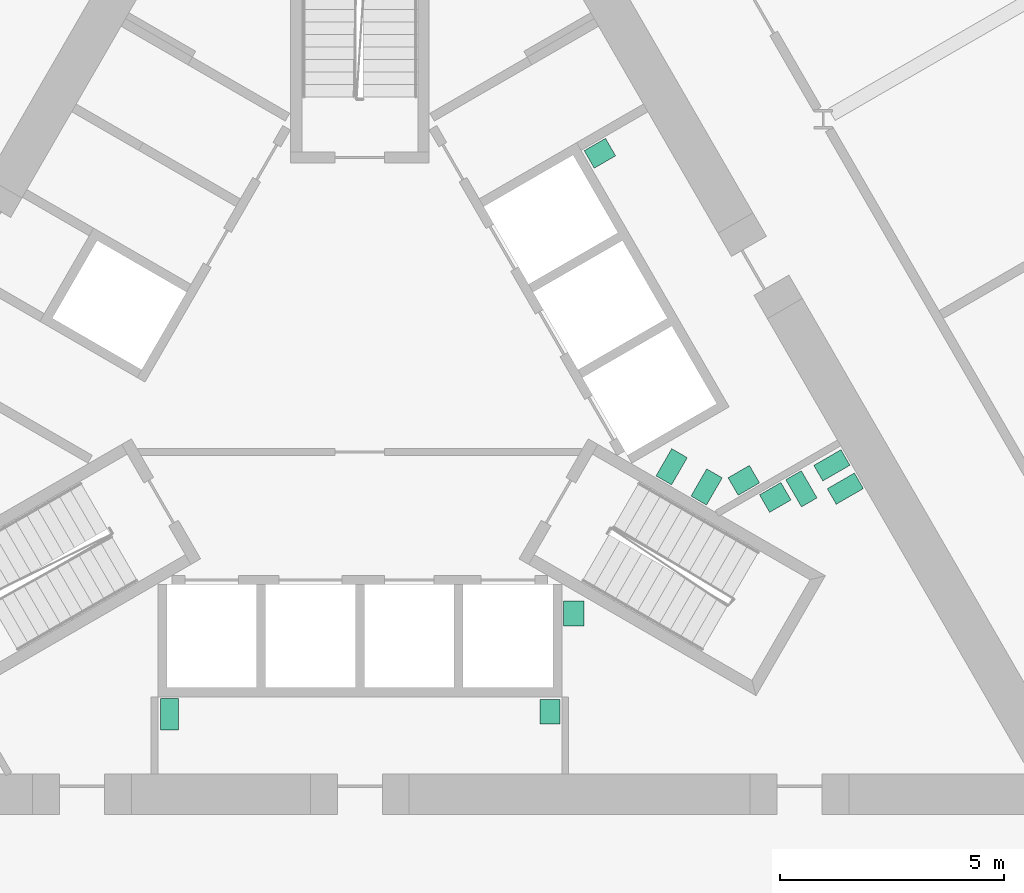
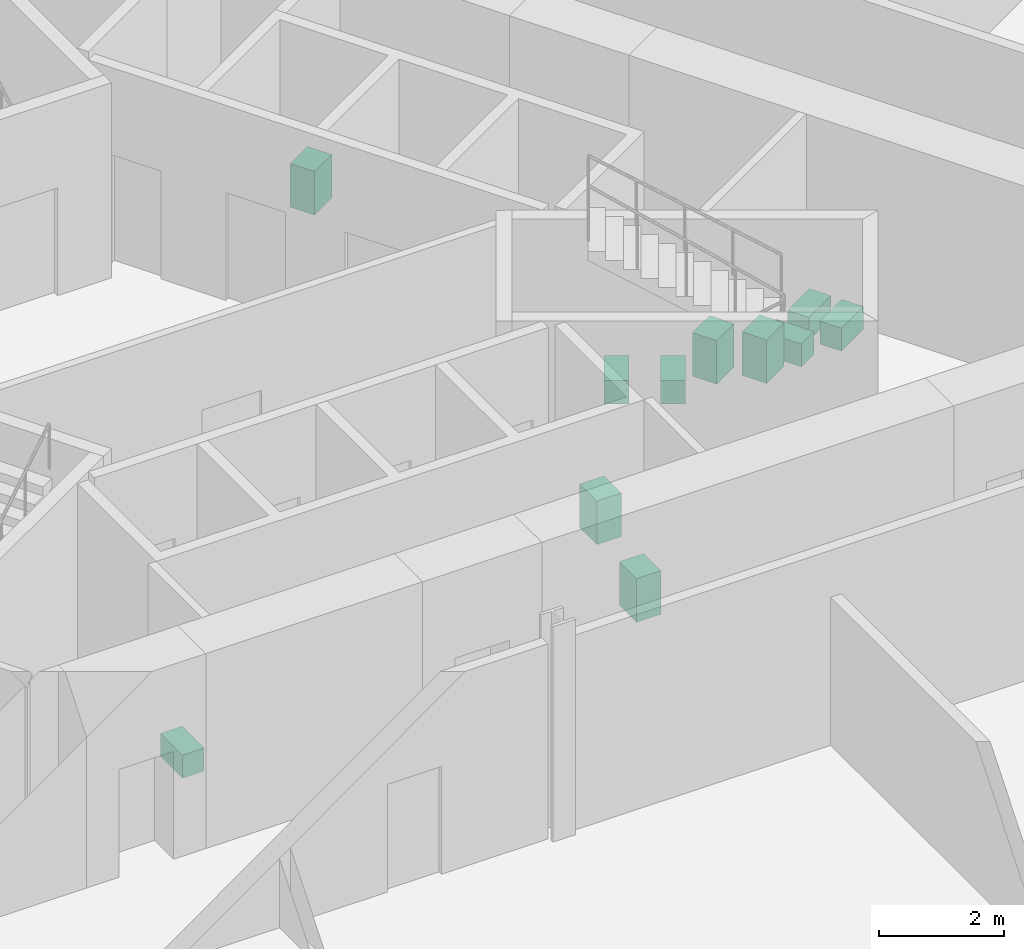
# One storey, part 20 of 21: 11 sanitary terminals.
"""IFC4 building model written with IfcOpenShell, lengths in metres."""

from ifc_helpers import new_model, si_unit, direction, frame, origin, origin_2d, place, context, subcontext, project, spatial, rectangle, extrude, material, type_object, element, save


model = new_model("IFC4")

# Units and contexts
model_context = context("Model", 3, precision=1e-05, world=origin(), true_north=direction((0.0, 1.0)))
body_context = subcontext(model_context, "Body", "Model", "MODEL_VIEW")
ifc_project = project(units=[si_unit("LENGTHUNIT", "METRE"), si_unit("AREAUNIT", "SQUARE_METRE"), si_unit("VOLUMEUNIT", "CUBIC_METRE"), si_unit("PLANEANGLEUNIT", "RADIAN"), si_unit("MASSUNIT", "GRAM", prefix="KILO")], contexts=[model_context])

# Site, building, storey
site_placement = place(None, origin())
site = spatial("IfcSite", under=ifc_project, at=site_placement, CompositionType="ELEMENT")
building_placement = place(site_placement, origin())
building = spatial("IfcBuilding", under=site, at=building_placement, Name="Cormorant Prow Tower", CompositionType="ELEMENT")
storey_placement = place(building_placement, frame((0.0, 0.0, 145.800048828125)))
storey = spatial("IfcBuildingStorey", under=building, at=storey_placement, Name="L31", CompositionType="ELEMENT", Elevation=145.800048828125)

# Sanitary terminals
ifc_material_1 = material(Name="Vitreous china")
sanitary_terminal_type_1 = type_object("IfcSanitaryTerminalType", Name="Wash basin 550x450", PredefinedType="WASHHANDBASIN", material=ifc_material_1)
for number, where, z_axis, x_axis, name in (
    (1, (9.25732421875, -2.461669921875, 0.0), (0.0, 0.0, 1.0), (-0.866025403784, -0.5, 0.0), "Wash basin"),
    (2, (4.764892578125, -5.05029296875, 0.0), (0.0, 0.0, 1.0), (0.0, -1.0, 0.0), "Wash basin"),
    (3, (8.556396484375, -2.081298828125, 0.0), (0.0, 0.0, 1.0), (0.866025403784, 0.5, 0.0), "Wash basin"),
    (4, (5.349365234375, 5.207275390625, 0.0), (0.0, 0.0, 1.0), (-0.866034130299, -0.499984884929, 0.0), "Wash basin"),
    (5, (4.235107421875, -7.236328125, 0.0), (0.0, 0.0, 1.0), (0.0, 1.0, 0.0), "Wash basin"),
):
    element("IfcSanitaryTerminal", number, at=place(storey_placement, frame(where, z_axis=z_axis, x_axis=x_axis)), inside=storey, type_object=sanitary_terminal_type_1, Name=name, PredefinedType="WASHHANDBASIN", context=body_context, shape_type="SweptSolid", body=[
        extrude(rectangle(XDim=0.550048828125, YDim=0.449951171875, at=origin_2d()), origin(), (0.0, 0.0, 1.0), 0.85009765625),
    ])
ifc_material_2 = material(Name="Vitreous china")
sanitary_terminal_type_2 = type_object("IfcSanitaryTerminalType", Name="Water closet 400x700", PredefinedType="WCSEAT", material=ifc_material_2)
for number, where, z_axis, x_axis, name in (
    (6, (10.518798828125, -1.74658203125, 0.0), (0.0, 0.0, 1.0), (-0.5, 0.866025403784, 0.0), "Water closet"),
    (7, (10.81884765625, -2.26611328125, 0.0), (0.0, 0.0, 1.0), (-0.5, 0.866025403784, 0.0), "Water closet"),
    (8, (9.839599609375, -2.27001953125, 0.0), (0.0, 0.0, 1.0), (-0.866025403784, -0.5, 0.0), "Water closet"),
    (9, (7.727783203125, -2.228515625, 0.0), (0.0, 0.0, 1.0), (0.866016677006, -0.500015114919, 0.0), "Water closet"),
    (10, (6.948486328125, -1.778564453125, 0.0), (0.0, 0.0, 1.0), (0.866016677006, -0.500015114919, 0.0), "Water closet"),
    (11, (-4.239990234375, -7.2958984375, 0.0), (0.0, 0.0, 1.0), (-1.0, 0.0, 0.0), "Water closet"),
):
    element("IfcSanitaryTerminal", number, at=place(storey_placement, frame(where, z_axis=z_axis, x_axis=x_axis)), inside=storey, type_object=sanitary_terminal_type_2, Name=name, PredefinedType="WCSEAT", context=body_context, shape_type="SweptSolid", body=[
        extrude(rectangle(XDim=0.39990234375, YDim=0.699951171875, at=origin_2d()), origin(), (0.0, 0.0, 1.0), 0.449951171875),
    ])

save(model, "model.ifc")
